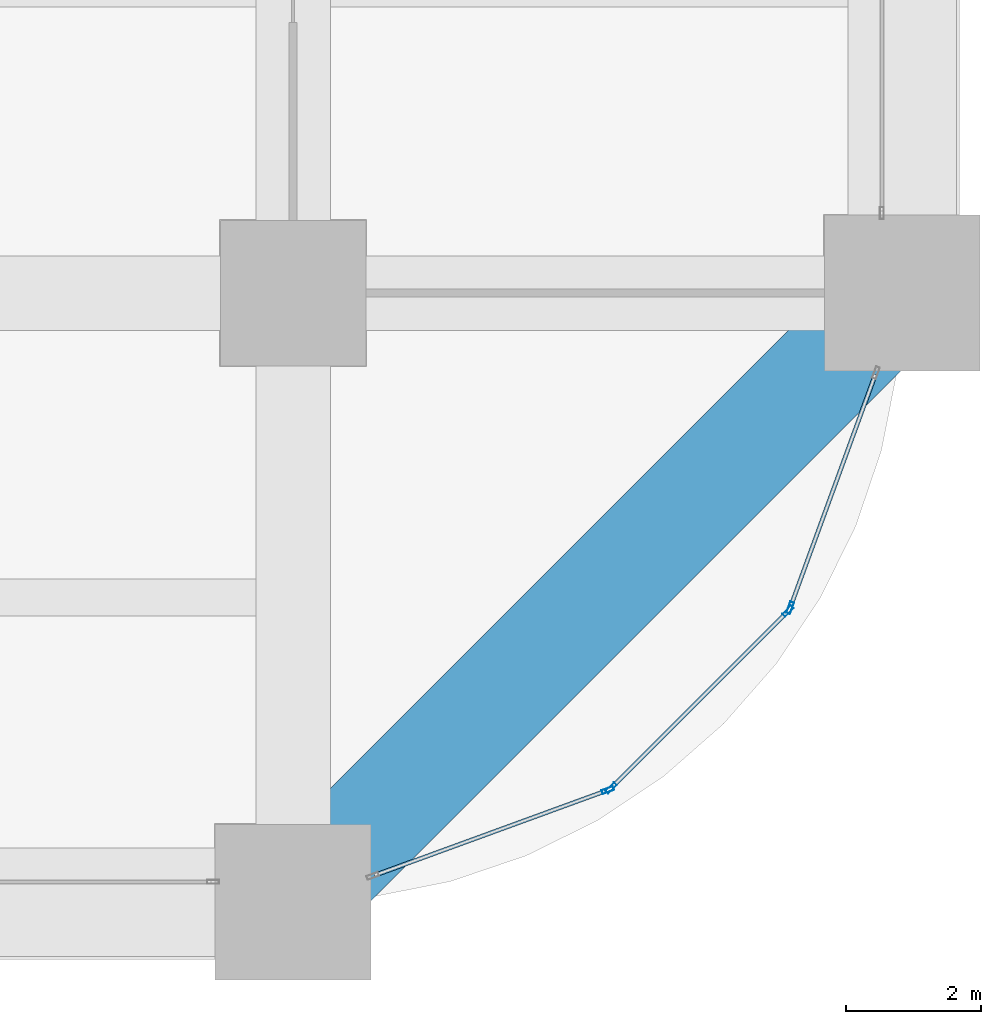
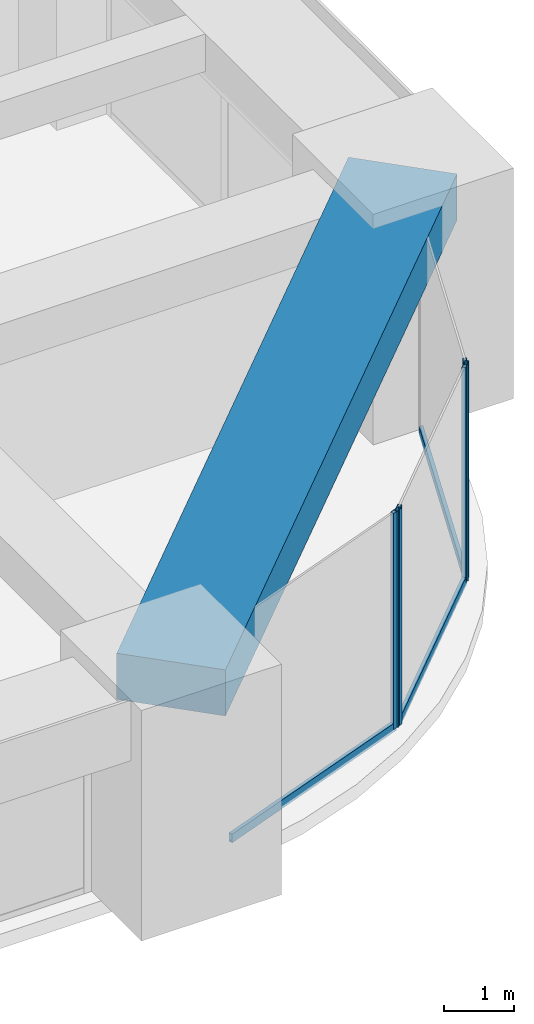
# One storey, part 16 of 43: 7 members, 1 beam, 3 elements without a shape of their own.
"""IFC4 building model written with IfcOpenShell, lengths in metres."""

from ifc_helpers import new_model, si_unit, direction, frame, origin, origin_2d, place, context, subcontext, project, spatial, rectangle, hollow_rectangle, extrude, material, material_profile, profile_set, type_object, element, aggregate, save


model = new_model("IFC4")

# Units and contexts
model_context = context("Model", 3, precision=1e-05, world=origin(), true_north=direction((0.0, 1.0)))
body_context = subcontext(model_context, "Body", "Model", "MODEL_VIEW")
ifc_project = project(units=[si_unit("LENGTHUNIT", "METRE"), si_unit("AREAUNIT", "SQUARE_METRE"), si_unit("VOLUMEUNIT", "CUBIC_METRE"), si_unit("PLANEANGLEUNIT", "RADIAN"), si_unit("MASSUNIT", "GRAM", prefix="KILO")], contexts=[model_context])

# Site, building, storey
site_placement = place(None, origin())
site = spatial("IfcSite", under=ifc_project, at=site_placement, CompositionType="ELEMENT")
building_placement = place(site_placement, origin())
building = spatial("IfcBuilding", under=site, at=building_placement, Name="Zorevar Civic Tower", CompositionType="ELEMENT")
storey_placement = place(building_placement, frame((0.0, 0.0, 67.800048828125)))
storey = spatial("IfcBuildingStorey", under=building, at=storey_placement, Name="L16", CompositionType="ELEMENT", Elevation=67.800048828125)

# Curtain wall, member
ifc_material_1 = material(Name="Dark grey solar-control glass in black aluminium frame", Category="aluminium")
curtain_wall_type = type_object("IfcCurtainWallType", Name="Curtain wall CW2 low zone", PredefinedType="NOTDEFINED", material=ifc_material_1)
curtain_wall_1_placement = place(storey_placement, origin())
curtain_wall_1 = element("IfcCurtainWall", 1, at=curtain_wall_1_placement, inside=storey, type_object=curtain_wall_type, Name="CW2 L16", PredefinedType="NOTDEFINED")
ifc_material_2 = material(Name="Aluminium, black anodised", Category="aluminium")
ifc_material_profile_1 = material_profile(ifc_material_2, hollow_rectangle(XDim=0.06005859375, YDim=0.179931640625, WallThickness=0.00390625, at=origin_2d()), Name="AL 180x60x4")
ifc_profile_set_1 = profile_set([ifc_material_profile_1], Name="Aluminium, black anodised")
member_type_1 = type_object("IfcMemberType", Name="CW2 mullion AL 180x60x4", PredefinedType="MULLION", material=ifc_profile_set_1)
member_1_placement = place(storey_placement, frame((58.650390625, 1.65478515625, 0.0), z_axis=(0.0, 0.0, 1.0), x_axis=(-0.343060400701, 0.939313345732, 0.0)))
member_1 = element("IfcMember", 2, at=member_1_placement, type_object=member_type_1, Name="CW2 mullion 2", PredefinedType="MULLION", context=body_context, shape_type="SweptSolid", body=[
    extrude(hollow_rectangle(XDim=0.06005859375, YDim=0.179931640625, WallThickness=0.00390625, at=origin_2d()), origin(), (0.0, 0.0, 1.0), 3.75),
])

# Curtain wall, members
curtain_wall_2_placement = place(storey_placement, origin())
curtain_wall_2 = element("IfcCurtainWall", 3, at=curtain_wall_2_placement, inside=storey, type_object=curtain_wall_type, Name="CW2 L16", PredefinedType="NOTDEFINED")
member_2_placement = place(storey_placement, frame((58.69970703125, 1.686279296875, 0.0), z_axis=(0.0, 0.0, 1.0), x_axis=(-0.707106781187, 0.707106781187, 0.0)))
member_2 = element("IfcMember", 4, at=member_2_placement, type_object=member_type_1, Name="CW2 mullion 1", PredefinedType="MULLION", context=body_context, shape_type="SweptSolid", body=[
    extrude(hollow_rectangle(XDim=0.06005859375, YDim=0.179931640625, WallThickness=0.00390625, at=origin_2d()), origin(), (0.0, 0.0, 1.0), 3.75),
])
member_3_placement = place(storey_placement, frame((61.313720703125, 4.30029296875, 0.0), z_axis=(0.0, 0.0, 1.0), x_axis=(-0.707106781187, 0.707106781187, 0.0)))
member_3 = element("IfcMember", 5, at=member_3_placement, type_object=member_type_1, Name="CW2 mullion 2", PredefinedType="MULLION", context=body_context, shape_type="SweptSolid", body=[
    extrude(hollow_rectangle(XDim=0.06005859375, YDim=0.179931640625, WallThickness=0.00390625, at=origin_2d()), origin(), (0.0, 0.0, 1.0), 3.75),
])

# Curtain wall, member
curtain_wall_3_placement = place(storey_placement, origin())
curtain_wall_3 = element("IfcCurtainWall", 6, at=curtain_wall_3_placement, inside=storey, type_object=curtain_wall_type, Name="CW2 L16", PredefinedType="NOTDEFINED")
member_4_placement = place(storey_placement, frame((61.34521484375, 4.349609375, 0.0), z_axis=(0.0, 0.0, 1.0), x_axis=(-0.939313345732, 0.343060400701, 0.0)))
member_4 = element("IfcMember", 7, at=member_4_placement, type_object=member_type_1, Name="CW2 mullion 1", PredefinedType="MULLION", context=body_context, shape_type="SweptSolid", body=[
    extrude(hollow_rectangle(XDim=0.06005859375, YDim=0.179931640625, WallThickness=0.00390625, at=origin_2d()), origin(), (0.0, 0.0, 1.0), 3.75),
])

# Member
ifc_material_3 = material(Name="Aluminium, black anodised", Category="aluminium")
ifc_material_profile_2 = material_profile(ifc_material_3, hollow_rectangle(XDim=0.06005859375, YDim=0.14990234375, WallThickness=0.00390625, at=origin_2d()), Name="AL 150x60x4")
ifc_profile_set_2 = profile_set([ifc_material_profile_2], Name="Aluminium, black anodised")
member_type_2 = type_object("IfcMemberType", Name="CW2 transom AL 150x60x4", PredefinedType="USERDEFINED", material=ifc_profile_set_2)
member_5_placement = place(storey_placement, frame((55.206298828125, 0.39697265625, 0.030029296875), z_axis=(0.939318180432, 0.343047162808, 0.0), x_axis=(-0.343047162808, 0.939318180432, 0.0)))
member_5 = element("IfcMember", 8, at=member_5_placement, type_object=member_type_2, Name="CW2 sill transom", ObjectType="TRANSOM", PredefinedType="USERDEFINED", context=body_context, shape_type="SweptSolid", body=[
    extrude(hollow_rectangle(XDim=0.06005859375, YDim=0.14990234375, WallThickness=0.00390625, at=origin_2d()), origin(), (0.0, 0.0, 1.0), 3.63671875),
])

aggregate(curtain_wall_1, [member_1, member_5])

member_6_placement = place(storey_placement, frame((58.720947265625, 1.70751953125, 0.030029296875), z_axis=(0.707106781187, 0.707106781187, 0.0), x_axis=(-0.707106781187, 0.707106781187, 0.0)))
member_6 = element("IfcMember", 9, at=member_6_placement, type_object=member_type_2, Name="CW2 sill transom", ObjectType="TRANSOM", PredefinedType="USERDEFINED", context=body_context, shape_type="SweptSolid", body=[
    extrude(hollow_rectangle(XDim=0.06005859375, YDim=0.14990234375, WallThickness=0.00390625, at=origin_2d()), origin(), (0.0, 0.0, 1.0), 3.63671875),
])

aggregate(curtain_wall_2, [member_2, member_3, member_6])

member_7_placement = place(storey_placement, frame((61.35546875, 4.377685546875, 0.030029296875), z_axis=(0.343047162808, 0.939318180432, 0.0), x_axis=(-0.939318180432, 0.343047162808, 0.0)))
member_7 = element("IfcMember", 10, at=member_7_placement, type_object=member_type_2, Name="CW2 sill transom", ObjectType="TRANSOM", PredefinedType="USERDEFINED", context=body_context, shape_type="SweptSolid", body=[
    extrude(hollow_rectangle(XDim=0.06005859375, YDim=0.14990234375, WallThickness=0.00390625, at=origin_2d()), origin(), (0.0, 0.0, 1.0), 3.63671875),
])

aggregate(curtain_wall_3, [member_4, member_7])

# Beam
ifc_material_4 = material(Name="Concrete C50/60", Category="concrete")
ifc_material_profile_3 = material_profile(ifc_material_4, rectangle(XDim=1.60009765625, YDim=0.800048828125, at=origin_2d()), Name="RC 1600x800")
ifc_profile_set_3 = profile_set([ifc_material_profile_3], Name="Concrete C50/60")
beam_type = type_object("IfcBeamType", Name="Edge beam RC 1600x800", PredefinedType="SPANDREL", material=ifc_profile_set_3)
beam_placement = place(storey_placement, frame((54.0, 0.0, 3.349853515625), z_axis=(0.707106781187, 0.707106781187, 0.0), x_axis=(-0.707106781187, 0.707106781187, 0.0)))
element("IfcBeam", 11, at=beam_placement, inside=storey, type_object=beam_type, Name="Corner edge beam L17", PredefinedType="SPANDREL", context=body_context, shape_type="SweptSolid", body=[
    extrude(rectangle(XDim=1.60009765625, YDim=0.800048828125, at=origin_2d()), origin(), (0.0, 0.0, 1.0), 12.72802734375),
])

save(model, "model.ifc")
